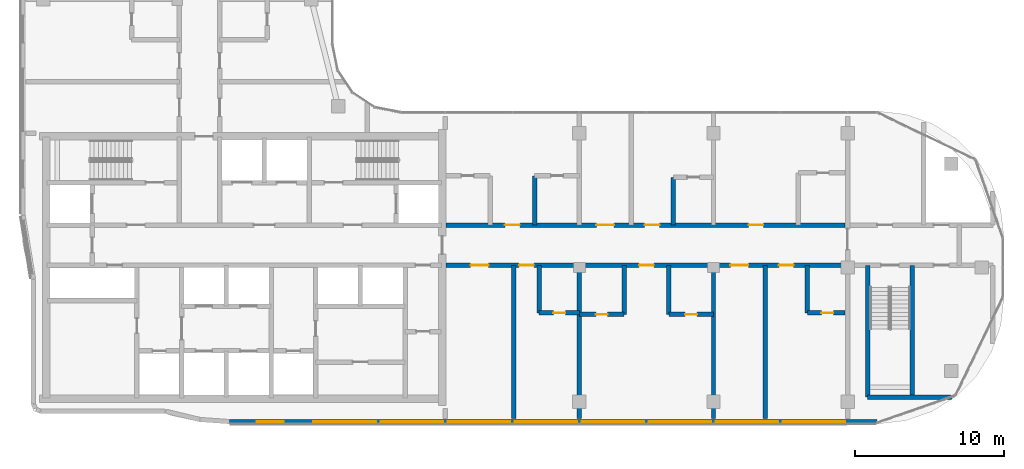
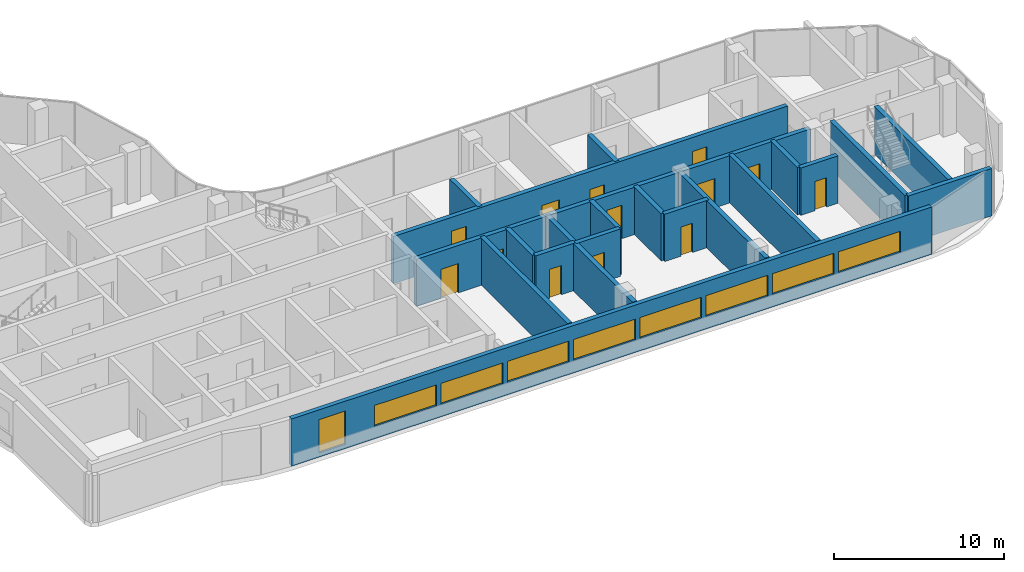
# One storey, part 11 of 19: 20 walls, 13 doors, 9 windows, 22 openings.
"""IFC4 building model written with IfcOpenShell, lengths in metres."""

import ifcopenshell
import ifcopenshell.guid

model = None  # the IFC model being written
_history = None  # IfcOwnerHistory: only IFC2X3 demands one
_inside = {}  # id of a spatial element -> (the spatial element, [elements in it])
_under = {}  # id of a project, library or spatial element -> (it, [spatial elements below it])
_declared = {}  # id of a project -> (the project, [libraries it declares])
_typed = {}  # id of a type object -> (the type object, [elements of that type])
_made_of = {}  # id of a material, layer set ... -> (it, [elements and type objects made of it])


def new_model(schema):
    """Start an empty IFC model of exactly this schema.

    Asked for "IFC4X3", IfcOpenShell would pick the latest addendum, in which some entities
    have other attributes; the version numbers below select the first issue.
    IFC2X3 requires an IfcOwnerHistory on every rooted entity: one is made here for all.
    """
    global model, _history
    if schema == "IFC4X3":
        model = ifcopenshell.file(schema_version=(4, 3, 0, 0))
    else:
        model = ifcopenshell.file(schema=schema)
    _inside.clear()
    _under.clear()
    _declared.clear()
    _typed.clear()
    _made_of.clear()
    _history = None
    if model.schema == "IFC2X3":
        org = make("IfcOrganization", Name="unknown")
        user = make(
            "IfcPersonAndOrganization",
            ThePerson=make("IfcPerson", FamilyName="unknown"),
            TheOrganization=org,
        )
        app = make(
            "IfcApplication",
            ApplicationDeveloper=org,
            Version="unknown",
            ApplicationFullName="unknown",
            ApplicationIdentifier="unknown",
        )
        _history = make(
            "IfcOwnerHistory",
            OwningUser=user,
            OwningApplication=app,
            ChangeAction="ADDED",
            CreationDate=0,
        )
    return model


def make(cls, **values):
    """One entity of the class cls with the attributes given. An attribute that is None is left unset."""
    return model.create_entity(
        cls, **{name: value for name, value in values.items() if value is not None}
    )


def rooted(cls, **values):
    """An entity with a GlobalId (a new one), such as an element, a storey or a relation."""
    return make(cls, GlobalId=ifcopenshell.guid.new(), OwnerHistory=_history, **values)


def si_unit(unit_type, name, prefix=None):
    """IfcSIUnit, for example si_unit("LENGTHUNIT", "METRE", prefix="MILLI")."""
    return make("IfcSIUnit", UnitType=unit_type, Prefix=prefix, Name=name)


def assignment(units):
    """IfcUnitAssignment: the units of a project."""
    return None if units is None else make("IfcUnitAssignment", Units=units)


def point(xyz):
    """IfcCartesianPoint."""
    return None if xyz is None else make("IfcCartesianPoint", Coordinates=xyz)


def direction(xyz):
    """IfcDirection."""
    return None if xyz is None else make("IfcDirection", DirectionRatios=xyz)


def frame(location, z_axis=None, x_axis=None):
    """IfcAxis2Placement3D, a coordinate frame: its origin and axes. An axis left out is left unset."""
    return make(
        "IfcAxis2Placement3D",
        Location=point(location),
        Axis=direction(z_axis),
        RefDirection=direction(x_axis),
    )


def frame_2d(location, x_axis=None):
    """IfcAxis2Placement2D, a coordinate frame in the plane: its origin and x axis."""
    return make(
        "IfcAxis2Placement2D", Location=point(location), RefDirection=direction(x_axis)
    )


def origin():
    """The frame at (0, 0, 0) with its axes left unset."""
    return frame((0.0, 0.0, 0.0))


def place(relative_to, where):
    """IfcLocalPlacement: puts the frame where relative to a parent placement (None: the world)."""
    return make(
        "IfcLocalPlacement", PlacementRelTo=relative_to, RelativePlacement=where
    )


def context(
    kind, dimensions, precision=None, world=None, true_north=None, identifier=None
):
    """IfcGeometricRepresentationContext, for example the 3D "Model" context."""
    return make(
        "IfcGeometricRepresentationContext",
        ContextIdentifier=identifier,
        ContextType=kind,
        CoordinateSpaceDimension=dimensions,
        Precision=precision,
        WorldCoordinateSystem=world,
        TrueNorth=true_north,
    )


def subcontext(parent, identifier, kind, view, scale=None):
    """IfcGeometricRepresentationSubContext, for example "Body" below "Model"."""
    return make(
        "IfcGeometricRepresentationSubContext",
        ContextIdentifier=identifier,
        ContextType=kind,
        ParentContext=parent,
        TargetScale=scale,
        TargetView=view,
    )


def project(units=None, contexts=None):
    """IfcProject with its units and contexts."""
    return rooted(
        "IfcProject",
        Name="project",
        RepresentationContexts=contexts,
        UnitsInContext=assignment(units),
    )


def spatial(cls, under=None, at=None, **own):
    """A site, building, storey or space (cls), placed at a placement, below another one or the project."""
    s = rooted(cls, ObjectPlacement=at, **own)
    if under is not None:
        _under.setdefault(under.id(), (under, []))[1].append(s)
    return s


def profile(cls, at=None, kind="AREA", **sizes):
    """A parametric profile (cls). Its sizes go by their IFC names, for example OverallWidth=200.0."""
    return make(cls, ProfileType=kind, Position=at, **sizes)


def rectangle(**sizes):
    """IfcRectangleProfileDef."""
    return profile("IfcRectangleProfileDef", **sizes)


def extrude(swept, where, along, depth):
    """IfcExtrudedAreaSolid: the profile swept, set in the frame where, extruded along a direction by depth."""
    return make(
        "IfcExtrudedAreaSolid",
        SweptArea=swept,
        Position=where,
        ExtrudedDirection=direction(along),
        Depth=depth,
    )


def shape(context_of_items, identifier, shape_type, items):
    """IfcShapeRepresentation: the items that make up one representation, for example the "Body"."""
    return make(
        "IfcShapeRepresentation",
        ContextOfItems=context_of_items,
        RepresentationIdentifier=identifier,
        RepresentationType=shape_type,
        Items=items,
    )


def material(Name=None, Category=None):
    """IfcMaterial."""
    return make("IfcMaterial", Name=Name, Category=Category)


def layer(
    of_material, thickness, ventilated=None, Name=None, Category=None, Priority=None
):
    """IfcMaterialLayer: one layer of a wall or slab, of a material (None: an air gap)."""
    return make(
        "IfcMaterialLayer",
        Material=of_material,
        LayerThickness=thickness,
        IsVentilated=ventilated,
        Name=Name,
        Category=Category,
        Priority=Priority,
    )


def layer_set(layers, Name=None):
    """IfcMaterialLayerSet."""
    return make("IfcMaterialLayerSet", MaterialLayers=layers, LayerSetName=Name)


def made_of(thing, what):
    """Note that an element or type object is made of a material, layer set ...; save() writes the relation."""
    if what is not None:
        _made_of.setdefault(what.id(), (what, []))[1].append(thing)
    return thing


def type_object(cls, material=None, **own):
    """A type object (cls), such as IfcWallType, which elements share."""
    return made_of(rooted(cls, **own), material)


def element(
    cls,
    number,
    at=None,
    inside=None,
    cuts=None,
    type_object=None,
    material=None,
    context=None,
    identifier="Body",
    shape_type=None,
    held_by="IfcProductDefinitionShape",
    body=None,
    shapes=None,
    **own,
):
    """One element of the class cls, such as IfcWall. Its Tag is "e" and its number.

    at: its placement. inside: the storey or other place that contains it. cuts: it is an
    opening in that element (IfcRelVoidsElement). A single representation is given by context,
    identifier, shape_type and body (its items); several are given by shapes. held_by: the class
    of the entity that holds the representations. save() writes the other relations.
    """
    e = rooted(cls, Tag="e%d" % number, ObjectPlacement=at, **own)
    if body is not None:
        shapes = [shape(context, identifier, shape_type, body)]
    if shapes is not None:
        e.Representation = make(held_by, Representations=shapes)
    if inside is not None:
        _inside.setdefault(inside.id(), (inside, []))[1].append(e)
    if cuts is not None:
        rooted(
            "IfcRelVoidsElement", RelatingBuildingElement=cuts, RelatedOpeningElement=e
        )
    if type_object is not None:
        _typed.setdefault(type_object.id(), (type_object, []))[1].append(e)
    return made_of(e, material)


def fill(opening, filler):
    """IfcRelFillsElement: the door or window that sits in an opening."""
    return rooted(
        "IfcRelFillsElement",
        RelatingOpeningElement=opening,
        RelatedBuildingElement=filler,
    )


def aggregate(whole, parts):
    """IfcRelAggregates: a whole, such as a stair, and the parts it consists of."""
    return rooted("IfcRelAggregates", RelatingObject=whole, RelatedObjects=parts)


def save(model, path):
    """Write the relations noted so far, then the file.

    IfcRelAggregates (storeys below a building ...), IfcRelContainedInSpatialStructure (elements
    in a storey), IfcRelDefinesByType, IfcRelAssociatesMaterial and IfcRelDeclares: one each for
    every whole, place, type object, material and project.
    """
    for whole, parts in _under.values():
        aggregate(whole, parts)
    for where, things in _inside.values():
        rooted(
            "IfcRelContainedInSpatialStructure",
            RelatedElements=things,
            RelatingStructure=where,
        )
    for kind, things in _typed.values():
        rooted("IfcRelDefinesByType", RelatedObjects=things, RelatingType=kind)
    for what, things in _made_of.values():
        rooted("IfcRelAssociatesMaterial", RelatedObjects=things, RelatingMaterial=what)
    for by, libraries in _declared.values():
        rooted("IfcRelDeclares", RelatingContext=by, RelatedDefinitions=libraries)
    model.write(path)


model = new_model("IFC4")

# Units and contexts
model_context = context("Model", 3, precision=1e-05, world=origin(), true_north=direction((0.0, 1.0)))
body_context = subcontext(model_context, "Body", "Model", "MODEL_VIEW")
ifc_project = project(units=[si_unit("LENGTHUNIT", "METRE"), si_unit("AREAUNIT", "SQUARE_METRE"), si_unit("VOLUMEUNIT", "CUBIC_METRE"), si_unit("PLANEANGLEUNIT", "RADIAN"), si_unit("MASSUNIT", "GRAM", prefix="KILO")], contexts=[model_context])

# Site, building, storey
site_placement = place(None, origin())
site = spatial("IfcSite", under=ifc_project, at=site_placement, CompositionType="ELEMENT")
building_placement = place(site_placement, origin())
building = spatial("IfcBuilding", under=site, at=building_placement, Name="Ogive Portal Towers", CompositionType="ELEMENT")
storey_placement = place(building_placement, frame((0.0, 0.0, 229.10009765625)))
storey = spatial("IfcBuildingStorey", under=building, at=storey_placement, Name="L57", CompositionType="ELEMENT", Elevation=229.10009765625)

# Wall, openings, windows
ifc_material_1 = material(Name="Limestone cladding on lightweight block wall", Category="masonry")
ifc_layer_1 = layer(ifc_material_1, 0.300048828125)
ifc_layer_set_1 = layer_set([ifc_layer_1], Name="EXTERNAL WALL 300 STONE")
wall_type_1 = type_object("IfcWallType", Name="EXTERNAL WALL 300 STONE", PredefinedType="SOLIDWALL", material=ifc_layer_set_1)
wall_1_placement = place(storey_placement, frame((44.0107421875, 20.14990234375, 0.0), z_axis=(0.0, 0.0, 1.0), x_axis=(1.0, 0.0, 0.0)))
wall_1 = element("IfcWall", 1, at=wall_1_placement, inside=storey, type_object=wall_type_1, Name="A:L57:f06:r0:wall", PredefinedType="SOLIDWALL", context=body_context, shape_type="SweptSolid", body=[
    extrude(rectangle(XDim=43.4755859375, YDim=0.300048828125, at=frame_2d((21.73779296875, 0.0))), origin(), (0.0, 0.0, 1.0), 3.39990234375),
])
opening_1_placement = place(wall_1_placement, frame((1.8447265625, 0.0, 0.300048828125)))
opening_1 = element("IfcOpeningElement", 2, at=opening_1_placement, cuts=wall_1, Name="Opening WN10", PredefinedType="OPENING", context=body_context, shape_type="SweptSolid", body=[
    extrude(rectangle(XDim=1.800048828125, YDim=2.39990234375, at=frame_2d((0.89990234375, 1.199951171875))), frame((0.0, 0.16015625, 0.0), z_axis=(0.0, -1.0, 0.0), x_axis=(1.0, 0.0, 0.0)), (0.0, 0.0, 1.0), 0.320068359375),
])
opening_2_placement = place(wall_1_placement, frame((5.639404296875, 0.0, 0.89990234375)))
opening_2 = element("IfcOpeningElement", 3, at=opening_2_placement, cuts=wall_1, Name="Opening WN11", PredefinedType="OPENING", context=body_context, shape_type="SweptSolid", body=[
    extrude(rectangle(XDim=4.199951171875, YDim=1.5, at=frame_2d((2.10009765625, 0.75))), frame((0.0, 0.16015625, 0.0), z_axis=(0.0, -1.0, 0.0), x_axis=(1.0, 0.0, 0.0)), (0.0, 0.0, 1.0), 0.320068359375),
])
opening_3_placement = place(wall_1_placement, frame((10.139404296875, 0.0, 0.89990234375)))
opening_3 = element("IfcOpeningElement", 4, at=opening_3_placement, cuts=wall_1, Name="Opening WN11", PredefinedType="OPENING", context=body_context, shape_type="SweptSolid", body=[
    extrude(rectangle(XDim=4.199951171875, YDim=1.5, at=frame_2d((2.10009765625, 0.75))), frame((0.0, 0.16015625, 0.0), z_axis=(0.0, -1.0, 0.0), x_axis=(1.0, 0.0, 0.0)), (0.0, 0.0, 1.0), 0.320068359375),
])
opening_4_placement = place(wall_1_placement, frame((14.639404296875, 0.0, 0.89990234375)))
opening_4 = element("IfcOpeningElement", 5, at=opening_4_placement, cuts=wall_1, Name="Opening WN11", PredefinedType="OPENING", context=body_context, shape_type="SweptSolid", body=[
    extrude(rectangle(XDim=4.199951171875, YDim=1.5, at=frame_2d((2.10009765625, 0.75))), frame((0.0, 0.16015625, 0.0), z_axis=(0.0, -1.0, 0.0), x_axis=(1.0, 0.0, 0.0)), (0.0, 0.0, 1.0), 0.320068359375),
])
opening_5_placement = place(wall_1_placement, frame((19.139404296875, 0.0, 0.89990234375)))
opening_5 = element("IfcOpeningElement", 6, at=opening_5_placement, cuts=wall_1, Name="Opening WN11", PredefinedType="OPENING", context=body_context, shape_type="SweptSolid", body=[
    extrude(rectangle(XDim=4.199951171875, YDim=1.5, at=frame_2d((2.10009765625, 0.75))), frame((0.0, 0.16015625, 0.0), z_axis=(0.0, -1.0, 0.0), x_axis=(1.0, 0.0, 0.0)), (0.0, 0.0, 1.0), 0.320068359375),
])
opening_6_placement = place(wall_1_placement, frame((23.639404296875, 0.0, 0.89990234375)))
opening_6 = element("IfcOpeningElement", 7, at=opening_6_placement, cuts=wall_1, Name="Opening WN11", PredefinedType="OPENING", context=body_context, shape_type="SweptSolid", body=[
    extrude(rectangle(XDim=4.199951171875, YDim=1.5, at=frame_2d((2.10009765625, 0.75))), frame((0.0, 0.16015625, 0.0), z_axis=(0.0, -1.0, 0.0), x_axis=(1.0, 0.0, 0.0)), (0.0, 0.0, 1.0), 0.320068359375),
])
opening_7_placement = place(wall_1_placement, frame((28.139404296875, 0.0, 0.89990234375)))
opening_7 = element("IfcOpeningElement", 8, at=opening_7_placement, cuts=wall_1, Name="Opening WN11", PredefinedType="OPENING", context=body_context, shape_type="SweptSolid", body=[
    extrude(rectangle(XDim=4.199951171875, YDim=1.5, at=frame_2d((2.10009765625, 0.75))), frame((0.0, 0.16015625, 0.0), z_axis=(0.0, -1.0, 0.0), x_axis=(1.0, 0.0, 0.0)), (0.0, 0.0, 1.0), 0.320068359375),
])
opening_8_placement = place(wall_1_placement, frame((32.639404296875, 0.0, 0.89990234375)))
opening_8 = element("IfcOpeningElement", 9, at=opening_8_placement, cuts=wall_1, Name="Opening WN11", PredefinedType="OPENING", context=body_context, shape_type="SweptSolid", body=[
    extrude(rectangle(XDim=4.199951171875, YDim=1.5, at=frame_2d((2.10009765625, 0.75))), frame((0.0, 0.16015625, 0.0), z_axis=(0.0, -1.0, 0.0), x_axis=(1.0, 0.0, 0.0)), (0.0, 0.0, 1.0), 0.320068359375),
])
opening_9_placement = place(wall_1_placement, frame((37.139404296875, 0.0, 0.89990234375)))
opening_9 = element("IfcOpeningElement", 10, at=opening_9_placement, cuts=wall_1, Name="Opening WN11", PredefinedType="OPENING", context=body_context, shape_type="SweptSolid", body=[
    extrude(rectangle(XDim=4.199951171875, YDim=1.5, at=frame_2d((2.10009765625, 0.75))), frame((0.0, 0.16015625, 0.0), z_axis=(0.0, -1.0, 0.0), x_axis=(1.0, 0.0, 0.0)), (0.0, 0.0, 1.0), 0.320068359375),
])
ifc_material_2 = material(Name="Glass, clear low-iron insulated glazing", Category="glass")
window_type_1 = type_object("IfcWindowType", Name="WINDOW RIBBON 4200x1500", PartitioningType="TRIPLE_PANEL_VERTICAL", PredefinedType="WINDOW", material=ifc_material_2)
window_1_placement = place(opening_2_placement, origin())
window_1 = element("IfcWindow", 11, at=window_1_placement, inside=storey, type_object=window_type_1, Name="A:L57:f06:r0:w1", OverallHeight=1.5, OverallWidth=4.199951171875, PartitioningType="SINGLE_PANEL", PredefinedType="WINDOW", context=body_context, shape_type="SweptSolid", body=[
    extrude(rectangle(XDim=4.199951171875, YDim=1.5, at=frame_2d((2.10009765625, 0.75))), frame((0.0, 0.030029296875, 0.0), z_axis=(0.0, -1.0, 0.0), x_axis=(1.0, 0.0, 0.0)), (0.0, 0.0, 1.0), 0.06005859375),
])
fill(opening_2, window_1)
window_2_placement = place(opening_3_placement, origin())
window_2 = element("IfcWindow", 12, at=window_2_placement, inside=storey, type_object=window_type_1, Name="A:L57:f06:r0:w2", OverallHeight=1.5, OverallWidth=4.199951171875, PartitioningType="SINGLE_PANEL", PredefinedType="WINDOW", context=body_context, shape_type="SweptSolid", body=[
    extrude(rectangle(XDim=4.199951171875, YDim=1.5, at=frame_2d((2.10009765625, 0.75))), frame((0.0, 0.030029296875, 0.0), z_axis=(0.0, -1.0, 0.0), x_axis=(1.0, 0.0, 0.0)), (0.0, 0.0, 1.0), 0.06005859375),
])
fill(opening_3, window_2)
window_3_placement = place(opening_4_placement, origin())
window_3 = element("IfcWindow", 13, at=window_3_placement, inside=storey, type_object=window_type_1, Name="A:L57:f06:r0:w3", OverallHeight=1.5, OverallWidth=4.199951171875, PartitioningType="SINGLE_PANEL", PredefinedType="WINDOW", context=body_context, shape_type="SweptSolid", body=[
    extrude(rectangle(XDim=4.199951171875, YDim=1.5, at=frame_2d((2.10009765625, 0.75))), frame((0.0, 0.030029296875, 0.0), z_axis=(0.0, -1.0, 0.0), x_axis=(1.0, 0.0, 0.0)), (0.0, 0.0, 1.0), 0.06005859375),
])
fill(opening_4, window_3)
window_4_placement = place(opening_5_placement, origin())
window_4 = element("IfcWindow", 14, at=window_4_placement, inside=storey, type_object=window_type_1, Name="A:L57:f06:r0:w4", OverallHeight=1.5, OverallWidth=4.199951171875, PartitioningType="SINGLE_PANEL", PredefinedType="WINDOW", context=body_context, shape_type="SweptSolid", body=[
    extrude(rectangle(XDim=4.199951171875, YDim=1.5, at=frame_2d((2.10009765625, 0.75))), frame((0.0, 0.030029296875, 0.0), z_axis=(0.0, -1.0, 0.0), x_axis=(1.0, 0.0, 0.0)), (0.0, 0.0, 1.0), 0.06005859375),
])
fill(opening_5, window_4)
window_5_placement = place(opening_6_placement, origin())
window_5 = element("IfcWindow", 15, at=window_5_placement, inside=storey, type_object=window_type_1, Name="A:L57:f06:r0:w5", OverallHeight=1.5, OverallWidth=4.199951171875, PartitioningType="SINGLE_PANEL", PredefinedType="WINDOW", context=body_context, shape_type="SweptSolid", body=[
    extrude(rectangle(XDim=4.199951171875, YDim=1.5, at=frame_2d((2.10009765625, 0.75))), frame((0.0, 0.030029296875, 0.0), z_axis=(0.0, -1.0, 0.0), x_axis=(1.0, 0.0, 0.0)), (0.0, 0.0, 1.0), 0.06005859375),
])
fill(opening_6, window_5)
window_6_placement = place(opening_7_placement, origin())
window_6 = element("IfcWindow", 16, at=window_6_placement, inside=storey, type_object=window_type_1, Name="A:L57:f06:r0:w6", OverallHeight=1.5, OverallWidth=4.199951171875, PartitioningType="SINGLE_PANEL", PredefinedType="WINDOW", context=body_context, shape_type="SweptSolid", body=[
    extrude(rectangle(XDim=4.199951171875, YDim=1.5, at=frame_2d((2.10009765625, 0.75))), frame((0.0, 0.030029296875, 0.0), z_axis=(0.0, -1.0, 0.0), x_axis=(1.0, 0.0, 0.0)), (0.0, 0.0, 1.0), 0.06005859375),
])
fill(opening_7, window_6)
window_7_placement = place(opening_8_placement, origin())
window_7 = element("IfcWindow", 17, at=window_7_placement, inside=storey, type_object=window_type_1, Name="A:L57:f06:r0:w7", OverallHeight=1.5, OverallWidth=4.199951171875, PartitioningType="SINGLE_PANEL", PredefinedType="WINDOW", context=body_context, shape_type="SweptSolid", body=[
    extrude(rectangle(XDim=4.199951171875, YDim=1.5, at=frame_2d((2.10009765625, 0.75))), frame((0.0, 0.030029296875, 0.0), z_axis=(0.0, -1.0, 0.0), x_axis=(1.0, 0.0, 0.0)), (0.0, 0.0, 1.0), 0.06005859375),
])
fill(opening_8, window_7)
window_8_placement = place(opening_9_placement, origin())
window_8 = element("IfcWindow", 18, at=window_8_placement, inside=storey, type_object=window_type_1, Name="A:L57:f06:r0:w8", OverallHeight=1.5, OverallWidth=4.199951171875, PartitioningType="SINGLE_PANEL", PredefinedType="WINDOW", context=body_context, shape_type="SweptSolid", body=[
    extrude(rectangle(XDim=4.199951171875, YDim=1.5, at=frame_2d((2.10009765625, 0.75))), frame((0.0, 0.030029296875, 0.0), z_axis=(0.0, -1.0, 0.0), x_axis=(1.0, 0.0, 0.0)), (0.0, 0.0, 1.0), 0.06005859375),
])
fill(opening_9, window_8)
window_type_2 = type_object("IfcWindowType", Name="WINDOW SUITE CORNER 1800x2400", PartitioningType="DOUBLE_PANEL_VERTICAL", PredefinedType="WINDOW", material=ifc_material_2)
window_9_placement = place(opening_1_placement, origin())
window_9 = element("IfcWindow", 19, at=window_9_placement, inside=storey, type_object=window_type_2, Name="A:L57:f06:r0:w0", OverallHeight=2.39990234375, OverallWidth=1.800048828125, PartitioningType="SINGLE_PANEL", PredefinedType="WINDOW", context=body_context, shape_type="SweptSolid", body=[
    extrude(rectangle(XDim=1.800048828125, YDim=2.39990234375, at=frame_2d((0.89990234375, 1.199951171875))), frame((0.0, 0.030029296875, 0.0), z_axis=(0.0, -1.0, 0.0), x_axis=(1.0, 0.0, 0.0)), (0.0, 0.0, 1.0), 0.06005859375),
])
fill(opening_1, window_9)

# Walls
ifc_material_3 = material(Name="Concrete C50/60", Category="concrete")
ifc_layer_2 = layer(ifc_material_3, 0.300048828125)
ifc_layer_set_2 = layer_set([ifc_layer_2], Name="STAIR WALL 300 C50")
wall_type_2 = type_object("IfcWallType", Name="STAIR WALL 300 C50", PredefinedType="SHEAR", material=ifc_layer_set_2)
wall_2_placement = place(storey_placement, frame((86.85009765625, 21.800048828125, 0.0), z_axis=(0.0, 0.0, 1.0), x_axis=(1.0, 0.0, 0.0)))
element("IfcWall", 20, at=wall_2_placement, inside=storey, type_object=wall_type_2, Name="Stair wall ST-A4 L57", PredefinedType="SHEAR", context=body_context, shape_type="SweptSolid", body=[
    extrude(rectangle(XDim=5.664794921875, YDim=0.300048828125, at=frame_2d((2.83251953125, 0.0))), origin(), (0.0, 0.0, 1.0), 3.39990234375),
])
for number, where, z_axis, x_axis, name in (
    (21, (86.85009765625, 21.800048828125, 0.0), (0.0, 0.0, 1.0), (0.0, 1.0, 0.0), "Stair wall ST-A4 L57"),
    (22, (89.85009765625, 21.800048828125, 0.0), (0.0, 0.0, 1.0), (0.0, 1.0, 0.0), "Stair wall ST-A4 L57"),
):
    element("IfcWall", number, at=place(storey_placement, frame(where, z_axis=z_axis, x_axis=x_axis)), inside=storey, type_object=wall_type_2, Name=name, PredefinedType="SHEAR", context=body_context, shape_type="SweptSolid", body=[
        extrude(rectangle(XDim=8.849853515625, YDim=0.300048828125, at=frame_2d((4.4248046875, 0.0))), origin(), (0.0, 0.0, 1.0), 3.39990234375),
    ])

# Wall, openings, doors
ifc_material_4 = material(Name="Gypsum board partition on steel studs", Category="steel")
ifc_layer_3 = layer(ifc_material_4, 0.300048828125)
ifc_layer_set_3 = layer_set([ifc_layer_3], Name="WT-PART-300-EI 120")
wall_type_3 = type_object("IfcWallType", Name="WT-PART-300-EI 120", PredefinedType="PARTITIONING", material=ifc_layer_set_3)
wall_3_placement = place(storey_placement, frame((58.550048828125, 30.64990234375, 0.0), z_axis=(0.0, 0.0, 1.0), x_axis=(1.0, 0.0, 0.0)))
wall_3 = element("IfcWall", 23, at=wall_3_placement, inside=storey, type_object=wall_type_3, Name="Wall L57:w006", PredefinedType="PARTITIONING", context=body_context, shape_type="SweptSolid", body=[
    extrude(rectangle(XDim=26.780029296875, YDim=0.300048828125, at=frame_2d((13.39013671875, 0.0))), origin(), (0.0, 0.0, 1.0), 3.39990234375),
])
opening_10_placement = place(wall_3_placement, frame((1.64990234375, 0.0, 0.0)))
opening_10 = element("IfcOpeningElement", 24, at=opening_10_placement, cuts=wall_3, Name="Opening D25-029", PredefinedType="OPENING", context=body_context, shape_type="SweptSolid", body=[
    extrude(rectangle(XDim=1.199951171875, YDim=2.10009765625, at=frame_2d((0.60009765625, 1.050048828125))), frame((0.0, 0.16015625, 0.0), z_axis=(0.0, -1.0, 0.0), x_axis=(1.0, 0.0, 0.0)), (0.0, 0.0, 1.0), 0.320068359375),
])
opening_11_placement = place(wall_3_placement, frame((4.89990234375, 0.0, 0.0)))
opening_11 = element("IfcOpeningElement", 25, at=opening_11_placement, cuts=wall_3, Name="Opening D25-031", PredefinedType="OPENING", context=body_context, shape_type="SweptSolid", body=[
    extrude(rectangle(XDim=1.0, YDim=2.10009765625, at=frame_2d((0.5, 1.050048828125))), frame((0.0, 0.16015625, 0.0), z_axis=(0.0, -1.0, 0.0), x_axis=(1.0, 0.0, 0.0)), (0.0, 0.0, 1.0), 0.320068359375),
])
opening_12_placement = place(wall_3_placement, frame((12.949951171875, 0.0, 0.0)))
opening_12 = element("IfcOpeningElement", 26, at=opening_12_placement, cuts=wall_3, Name="Opening D25-037", PredefinedType="OPENING", context=body_context, shape_type="SweptSolid", body=[
    extrude(rectangle(XDim=1.0, YDim=2.39990234375, at=frame_2d((0.5, 1.199951171875))), frame((0.0, 0.16015625, 0.0), z_axis=(0.0, -1.0, 0.0), x_axis=(1.0, 0.0, 0.0)), (0.0, 0.0, 1.0), 0.320068359375),
])
opening_13_placement = place(wall_3_placement, frame((19.0849609375, 0.0, 0.0)))
opening_13 = element("IfcOpeningElement", 27, at=opening_13_placement, cuts=wall_3, Name="Opening D25-040", PredefinedType="OPENING", context=body_context, shape_type="SweptSolid", body=[
    extrude(rectangle(XDim=1.199951171875, YDim=2.10009765625, at=frame_2d((0.60009765625, 1.050048828125))), frame((0.0, 0.16015625, 0.0), z_axis=(0.0, -1.0, 0.0), x_axis=(1.0, 0.0, 0.0)), (0.0, 0.0, 1.0), 0.320068359375),
])
opening_14_placement = place(wall_3_placement, frame((22.3349609375, 0.0, 0.0)))
opening_14 = element("IfcOpeningElement", 28, at=opening_14_placement, cuts=wall_3, Name="Opening D25-042", PredefinedType="OPENING", context=body_context, shape_type="SweptSolid", body=[
    extrude(rectangle(XDim=1.0, YDim=2.10009765625, at=frame_2d((0.5, 1.050048828125))), frame((0.0, 0.16015625, 0.0), z_axis=(0.0, -1.0, 0.0), x_axis=(1.0, 0.0, 0.0)), (0.0, 0.0, 1.0), 0.320068359375),
])
ifc_material_5 = material(Name="Steel fire door", Category="steel")
door_type_1 = type_object("IfcDoorType", Name="DT-ENTRY-1000x2100-FD90S", OperationType="SINGLE_SWING_LEFT", PredefinedType="DOOR", material=ifc_material_5)
door_1_placement = place(opening_11_placement, origin())
door_1 = element("IfcDoor", 29, at=door_1_placement, inside=storey, type_object=door_type_1, Name="Door D25-031", OperationType="SINGLE_SWING_LEFT", OverallHeight=2.10009765625, OverallWidth=1.0, PredefinedType="DOOR", context=body_context, shape_type="SweptSolid", body=[
    extrude(rectangle(XDim=1.0, YDim=2.10009765625, at=frame_2d((0.5, 1.050048828125))), frame((0.0, 0.02490234375, 0.0), z_axis=(0.0, -1.0, 0.0), x_axis=(1.0, 0.0, 0.0)), (0.0, 0.0, 1.0), 0.050048828125),
])
fill(opening_11, door_1)
door_2_placement = place(opening_14_placement, origin())
door_2 = element("IfcDoor", 30, at=door_2_placement, inside=storey, type_object=door_type_1, Name="Door D25-042", OperationType="SINGLE_SWING_LEFT", OverallHeight=2.10009765625, OverallWidth=1.0, PredefinedType="DOOR", context=body_context, shape_type="SweptSolid", body=[
    extrude(rectangle(XDim=1.0, YDim=2.10009765625, at=frame_2d((0.5, 1.050048828125))), frame((0.0, 0.02490234375, 0.0), z_axis=(0.0, -1.0, 0.0), x_axis=(1.0, 0.0, 0.0)), (0.0, 0.0, 1.0), 0.050048828125),
])
fill(opening_14, door_2)
door_type_2 = type_object("IfcDoorType", Name="DT-ENTRY-1000x2400-FD90S", OperationType="SINGLE_SWING_LEFT", PredefinedType="DOOR", material=ifc_material_5)
door_3_placement = place(opening_12_placement, origin())
door_3 = element("IfcDoor", 31, at=door_3_placement, inside=storey, type_object=door_type_2, Name="Door D25-037", OperationType="SINGLE_SWING_LEFT", OverallHeight=2.39990234375, OverallWidth=1.0, PredefinedType="DOOR", context=body_context, shape_type="SweptSolid", body=[
    extrude(rectangle(XDim=1.0, YDim=2.39990234375, at=frame_2d((0.5, 1.199951171875))), frame((0.0, 0.02490234375, 0.0), z_axis=(0.0, -1.0, 0.0), x_axis=(1.0, 0.0, 0.0)), (0.0, 0.0, 1.0), 0.050048828125),
])
fill(opening_12, door_3)
door_type_3 = type_object("IfcDoorType", Name="DT-ENTRY-1200x2100-FD90S", OperationType="SINGLE_SWING_LEFT", PredefinedType="DOOR", material=ifc_material_5)
door_4_placement = place(opening_10_placement, origin())
door_4 = element("IfcDoor", 32, at=door_4_placement, inside=storey, type_object=door_type_3, Name="Door D25-029", OperationType="SINGLE_SWING_LEFT", OverallHeight=2.10009765625, OverallWidth=1.199951171875, PredefinedType="DOOR", context=body_context, shape_type="SweptSolid", body=[
    extrude(rectangle(XDim=1.199951171875, YDim=2.10009765625, at=frame_2d((0.60009765625, 1.050048828125))), frame((0.0, 0.02490234375, 0.0), z_axis=(0.0, -1.0, 0.0), x_axis=(1.0, 0.0, 0.0)), (0.0, 0.0, 1.0), 0.050048828125),
])
fill(opening_10, door_4)
door_5_placement = place(opening_13_placement, origin())
door_5 = element("IfcDoor", 33, at=door_5_placement, inside=storey, type_object=door_type_3, Name="Door D25-040", OperationType="SINGLE_SWING_RIGHT", OverallHeight=2.10009765625, OverallWidth=1.199951171875, PredefinedType="DOOR", context=body_context, shape_type="SweptSolid", body=[
    extrude(rectangle(XDim=1.199951171875, YDim=2.10009765625, at=frame_2d((0.60009765625, 1.050048828125))), frame((0.0, 0.02490234375, 0.0), z_axis=(0.0, -1.0, 0.0), x_axis=(1.0, 0.0, 0.0)), (0.0, 0.0, 1.0), 0.050048828125),
])
fill(opening_13, door_5)

wall_4_placement = place(storey_placement, frame((58.550048828125, 33.35009765625, 0.0), z_axis=(0.0, 0.0, 1.0), x_axis=(1.0, 0.0, 0.0)))
wall_4 = element("IfcWall", 34, at=wall_4_placement, inside=storey, type_object=wall_type_3, Name="Wall L57:w008", PredefinedType="PARTITIONING", context=body_context, shape_type="SweptSolid", body=[
    extrude(rectangle(XDim=26.780029296875, YDim=0.300048828125, at=frame_2d((13.39013671875, 0.0))), origin(), (0.0, 0.0, 1.0), 3.39990234375),
])
opening_15_placement = place(wall_4_placement, frame((3.949951171875, 0.0, 0.0)))
opening_15 = element("IfcOpeningElement", 35, at=opening_15_placement, cuts=wall_4, Name="Opening D25-028", PredefinedType="OPENING", context=body_context, shape_type="SweptSolid", body=[
    extrude(rectangle(XDim=1.0, YDim=2.39990234375, at=frame_2d((0.5, 1.199951171875))), frame((0.0, 0.16015625, 0.0), z_axis=(0.0, -1.0, 0.0), x_axis=(1.0, 0.0, 0.0)), (0.0, 0.0, 1.0), 0.320068359375),
])
opening_16_placement = place(wall_4_placement, frame((10.0849609375, 0.0, 0.0)))
opening_16 = element("IfcOpeningElement", 36, at=opening_16_placement, cuts=wall_4, Name="Opening D25-032", PredefinedType="OPENING", context=body_context, shape_type="SweptSolid", body=[
    extrude(rectangle(XDim=1.199951171875, YDim=2.10009765625, at=frame_2d((0.60009765625, 1.050048828125))), frame((0.0, 0.16015625, 0.0), z_axis=(0.0, -1.0, 0.0), x_axis=(1.0, 0.0, 0.0)), (0.0, 0.0, 1.0), 0.320068359375),
])
opening_17_placement = place(wall_4_placement, frame((13.3349609375, 0.0, 0.0)))
opening_17 = element("IfcOpeningElement", 37, at=opening_17_placement, cuts=wall_4, Name="Opening D25-034", PredefinedType="OPENING", context=body_context, shape_type="SweptSolid", body=[
    extrude(rectangle(XDim=1.0, YDim=2.10009765625, at=frame_2d((0.5, 1.050048828125))), frame((0.0, 0.16015625, 0.0), z_axis=(0.0, -1.0, 0.0), x_axis=(1.0, 0.0, 0.0)), (0.0, 0.0, 1.0), 0.320068359375),
])
opening_18_placement = place(wall_4_placement, frame((20.300048828125, 0.0, 0.0)))
opening_18 = element("IfcOpeningElement", 38, at=opening_18_placement, cuts=wall_4, Name="Opening D25-039", PredefinedType="OPENING", context=body_context, shape_type="SweptSolid", body=[
    extrude(rectangle(XDim=1.0, YDim=2.39990234375, at=frame_2d((0.5, 1.199951171875))), frame((0.0, 0.16015625, 0.0), z_axis=(0.0, -1.0, 0.0), x_axis=(1.0, 0.0, 0.0)), (0.0, 0.0, 1.0), 0.320068359375),
])
door_6_placement = place(opening_17_placement, origin())
door_6 = element("IfcDoor", 39, at=door_6_placement, inside=storey, type_object=door_type_1, Name="Door D25-034", OperationType="SINGLE_SWING_LEFT", OverallHeight=2.10009765625, OverallWidth=1.0, PredefinedType="DOOR", context=body_context, shape_type="SweptSolid", body=[
    extrude(rectangle(XDim=1.0, YDim=2.10009765625, at=frame_2d((0.5, 1.050048828125))), frame((0.0, 0.02490234375, 0.0), z_axis=(0.0, -1.0, 0.0), x_axis=(1.0, 0.0, 0.0)), (0.0, 0.0, 1.0), 0.050048828125),
])
fill(opening_17, door_6)
door_7_placement = place(opening_15_placement, origin())
door_7 = element("IfcDoor", 40, at=door_7_placement, inside=storey, type_object=door_type_2, Name="Door D25-028", OperationType="SINGLE_SWING_LEFT", OverallHeight=2.39990234375, OverallWidth=1.0, PredefinedType="DOOR", context=body_context, shape_type="SweptSolid", body=[
    extrude(rectangle(XDim=1.0, YDim=2.39990234375, at=frame_2d((0.5, 1.199951171875))), frame((0.0, 0.02490234375, 0.0), z_axis=(0.0, -1.0, 0.0), x_axis=(1.0, 0.0, 0.0)), (0.0, 0.0, 1.0), 0.050048828125),
])
fill(opening_15, door_7)
door_8_placement = place(opening_18_placement, origin())
door_8 = element("IfcDoor", 41, at=door_8_placement, inside=storey, type_object=door_type_2, Name="Door D25-039", OperationType="SINGLE_SWING_LEFT", OverallHeight=2.39990234375, OverallWidth=1.0, PredefinedType="DOOR", context=body_context, shape_type="SweptSolid", body=[
    extrude(rectangle(XDim=1.0, YDim=2.39990234375, at=frame_2d((0.5, 1.199951171875))), frame((0.0, 0.02490234375, 0.0), z_axis=(0.0, -1.0, 0.0), x_axis=(1.0, 0.0, 0.0)), (0.0, 0.0, 1.0), 0.050048828125),
])
fill(opening_18, door_8)
door_9_placement = place(opening_16_placement, origin())
door_9 = element("IfcDoor", 42, at=door_9_placement, inside=storey, type_object=door_type_3, Name="Door D25-032", OperationType="SINGLE_SWING_LEFT", OverallHeight=2.10009765625, OverallWidth=1.199951171875, PredefinedType="DOOR", context=body_context, shape_type="SweptSolid", body=[
    extrude(rectangle(XDim=1.199951171875, YDim=2.10009765625, at=frame_2d((0.60009765625, 1.050048828125))), frame((0.0, 0.02490234375, 0.0), z_axis=(0.0, -1.0, 0.0), x_axis=(1.0, 0.0, 0.0)), (0.0, 0.0, 1.0), 0.050048828125),
])
fill(opening_16, door_9)

# Wall, opening, door
ifc_layer_4 = layer(ifc_material_4, 0.300048828125)
ifc_layer_set_4 = layer_set([ifc_layer_4], Name="WT-PART-300-EI 60")
wall_type_4 = type_object("IfcWallType", Name="WT-PART-300-EI 60", PredefinedType="PARTITIONING", material=ifc_layer_set_4)
wall_5_placement = place(storey_placement, frame((67.5, 27.35009765625, 0.0), z_axis=(0.0, 0.0, 1.0), x_axis=(1.0, 0.0, 0.0)))
wall_5 = element("IfcWall", 43, at=wall_5_placement, inside=storey, type_object=wall_type_4, Name="Wall L57:w002", PredefinedType="PARTITIONING", context=body_context, shape_type="SweptSolid", body=[
    extrude(rectangle(XDim=3.0, YDim=0.300048828125, at=frame_2d((1.5, 0.0))), origin(), (0.0, 0.0, 1.0), 3.39990234375),
])
opening_19_placement = place(wall_5_placement, frame((1.10009765625, 0.0, 0.0)))
opening_19 = element("IfcOpeningElement", 44, at=opening_19_placement, cuts=wall_5, Name="Opening D25-035", PredefinedType="OPENING", context=body_context, shape_type="SweptSolid", body=[
    extrude(rectangle(XDim=0.800048828125, YDim=2.10009765625, at=frame_2d((0.39990234375, 1.050048828125))), frame((0.0, 0.16015625, 0.0), z_axis=(0.0, -1.0, 0.0), x_axis=(1.0, 0.0, 0.0)), (0.0, 0.0, 1.0), 0.320068359375),
])
door_type_4 = type_object("IfcDoorType", Name="DT-BATH-800x2100-FD60S", OperationType="SINGLE_SWING_LEFT", PredefinedType="DOOR", material=ifc_material_5)
door_10_placement = place(opening_19_placement, origin())
door_10 = element("IfcDoor", 45, at=door_10_placement, inside=storey, type_object=door_type_4, Name="Door D25-035", OperationType="SINGLE_SWING_LEFT", OverallHeight=2.10009765625, OverallWidth=0.800048828125, PredefinedType="DOOR", context=body_context, shape_type="SweptSolid", body=[
    extrude(rectangle(XDim=0.800048828125, YDim=2.10009765625, at=frame_2d((0.39990234375, 1.050048828125))), frame((0.0, 0.02490234375, 0.0), z_axis=(0.0, -1.0, 0.0), x_axis=(1.0, 0.0, 0.0)), (0.0, 0.0, 1.0), 0.050048828125),
])
fill(opening_19, door_10)

wall_6_placement = place(storey_placement, frame((73.5, 27.35009765625, 0.0), z_axis=(0.0, 0.0, 1.0), x_axis=(1.0, 0.0, 0.0)))
wall_6 = element("IfcWall", 46, at=wall_6_placement, inside=storey, type_object=wall_type_4, Name="Wall L57:w003", PredefinedType="PARTITIONING", context=body_context, shape_type="SweptSolid", body=[
    extrude(rectangle(XDim=3.0, YDim=0.300048828125, at=frame_2d((1.5, 0.0))), origin(), (0.0, 0.0, 1.0), 3.39990234375),
])
opening_20_placement = place(wall_6_placement, frame((1.10009765625, 0.0, 0.0)))
opening_20 = element("IfcOpeningElement", 47, at=opening_20_placement, cuts=wall_6, Name="Opening D25-036", PredefinedType="OPENING", context=body_context, shape_type="SweptSolid", body=[
    extrude(rectangle(XDim=0.800048828125, YDim=2.10009765625, at=frame_2d((0.39990234375, 1.050048828125))), frame((0.0, 0.16015625, 0.0), z_axis=(0.0, -1.0, 0.0), x_axis=(1.0, 0.0, 0.0)), (0.0, 0.0, 1.0), 0.320068359375),
])
door_11_placement = place(opening_20_placement, origin())
door_11 = element("IfcDoor", 48, at=door_11_placement, inside=storey, type_object=door_type_4, Name="Door D25-036", OperationType="SINGLE_SWING_RIGHT", OverallHeight=2.10009765625, OverallWidth=0.800048828125, PredefinedType="DOOR", context=body_context, shape_type="SweptSolid", body=[
    extrude(rectangle(XDim=0.800048828125, YDim=2.10009765625, at=frame_2d((0.39990234375, 1.050048828125))), frame((0.0, 0.02490234375, 0.0), z_axis=(0.0, -1.0, 0.0), x_axis=(1.0, 0.0, 0.0)), (0.0, 0.0, 1.0), 0.050048828125),
])
fill(opening_20, door_11)

wall_7_placement = place(storey_placement, frame((64.800048828125, 27.449951171875, 0.0), z_axis=(0.0, 0.0, 1.0), x_axis=(1.0, 0.0, 0.0)))
wall_7 = element("IfcWall", 49, at=wall_7_placement, inside=storey, type_object=wall_type_4, Name="Wall L57:w004", PredefinedType="PARTITIONING", context=body_context, shape_type="SweptSolid", body=[
    extrude(rectangle(XDim=2.699951171875, YDim=0.300048828125, at=frame_2d((1.35009765625, 0.0))), origin(), (0.0, 0.0, 1.0), 3.39990234375),
])
opening_21_placement = place(wall_7_placement, frame((0.949951171875, 0.0, 0.0)))
opening_21 = element("IfcOpeningElement", 50, at=opening_21_placement, cuts=wall_7, Name="Opening D25-030", PredefinedType="OPENING", context=body_context, shape_type="SweptSolid", body=[
    extrude(rectangle(XDim=0.800048828125, YDim=2.10009765625, at=frame_2d((0.39990234375, 1.050048828125))), frame((0.0, 0.16015625, 0.0), z_axis=(0.0, -1.0, 0.0), x_axis=(1.0, 0.0, 0.0)), (0.0, 0.0, 1.0), 0.320068359375),
])
door_12_placement = place(opening_21_placement, origin())
door_12 = element("IfcDoor", 51, at=door_12_placement, inside=storey, type_object=door_type_4, Name="Door D25-030", OperationType="SINGLE_SWING_RIGHT", OverallHeight=2.10009765625, OverallWidth=0.800048828125, PredefinedType="DOOR", context=body_context, shape_type="SweptSolid", body=[
    extrude(rectangle(XDim=0.800048828125, YDim=2.10009765625, at=frame_2d((0.39990234375, 1.050048828125))), frame((0.0, 0.02490234375, 0.0), z_axis=(0.0, -1.0, 0.0), x_axis=(1.0, 0.0, 0.0)), (0.0, 0.0, 1.0), 0.050048828125),
])
fill(opening_21, door_12)

wall_8_placement = place(storey_placement, frame((82.800048828125, 27.449951171875, 0.0), z_axis=(0.0, 0.0, 1.0), x_axis=(1.0, 0.0, 0.0)))
wall_8 = element("IfcWall", 52, at=wall_8_placement, inside=storey, type_object=wall_type_4, Name="Wall L57:w005", PredefinedType="PARTITIONING", context=body_context, shape_type="SweptSolid", body=[
    extrude(rectangle(XDim=2.530029296875, YDim=0.300048828125, at=frame_2d((1.26513671875, 0.0))), origin(), (0.0, 0.0, 1.0), 3.39990234375),
])
opening_22_placement = place(wall_8_placement, frame((0.949951171875, 0.0, 0.0)))
opening_22 = element("IfcOpeningElement", 53, at=opening_22_placement, cuts=wall_8, Name="Opening D25-041", PredefinedType="OPENING", context=body_context, shape_type="SweptSolid", body=[
    extrude(rectangle(XDim=0.800048828125, YDim=2.10009765625, at=frame_2d((0.39990234375, 1.050048828125))), frame((0.0, 0.16015625, 0.0), z_axis=(0.0, -1.0, 0.0), x_axis=(1.0, 0.0, 0.0)), (0.0, 0.0, 1.0), 0.320068359375),
])
door_13_placement = place(opening_22_placement, origin())
door_13 = element("IfcDoor", 54, at=door_13_placement, inside=storey, type_object=door_type_4, Name="Door D25-041", OperationType="SINGLE_SWING_LEFT", OverallHeight=2.10009765625, OverallWidth=0.800048828125, PredefinedType="DOOR", context=body_context, shape_type="SweptSolid", body=[
    extrude(rectangle(XDim=0.800048828125, YDim=2.10009765625, at=frame_2d((0.39990234375, 1.050048828125))), frame((0.0, 0.02490234375, 0.0), z_axis=(0.0, -1.0, 0.0), x_axis=(1.0, 0.0, 0.0)), (0.0, 0.0, 1.0), 0.050048828125),
])
fill(opening_22, door_13)

# Walls
wall_9_placement = place(storey_placement, frame((63.10009765625, 20.35009765625, 0.0), z_axis=(0.0, 0.0, 1.0), x_axis=(0.0, 1.0, 0.0)))
element("IfcWall", 55, at=wall_9_placement, inside=storey, type_object=wall_type_4, Name="Wall L57:w038", PredefinedType="PARTITIONING", context=body_context, shape_type="SweptSolid", body=[
    extrude(rectangle(XDim=10.2998046875, YDim=0.300048828125, at=frame_2d((5.14990234375, 0.0))), origin(), (0.0, 0.0, 1.0), 3.39990234375),
])
wall_10_placement = place(storey_placement, frame((64.5, 33.35009765625, 0.0), z_axis=(0.0, 0.0, 1.0), x_axis=(0.0, 1.0, 0.0)))
element("IfcWall", 56, at=wall_10_placement, inside=storey, type_object=wall_type_4, Name="Wall L57:w039", PredefinedType="PARTITIONING", context=body_context, shape_type="SweptSolid", body=[
    extrude(rectangle(XDim=3.2998046875, YDim=0.300048828125, at=frame_2d((1.64990234375, 0.0))), origin(), (0.0, 0.0, 1.0), 3.39990234375),
])
wall_11_placement = place(storey_placement, frame((64.800048828125, 27.449951171875, 0.0), z_axis=(0.0, 0.0, 1.0), x_axis=(0.0, 1.0, 0.0)))
element("IfcWall", 57, at=wall_11_placement, inside=storey, type_object=wall_type_4, Name="Wall L57:w040", PredefinedType="PARTITIONING", context=body_context, shape_type="SweptSolid", body=[
    extrude(rectangle(XDim=3.199951171875, YDim=0.300048828125, at=frame_2d((1.60009765625, 0.0))), origin(), (0.0, 0.0, 1.0), 3.39990234375),
])
wall_12_placement = place(storey_placement, frame((67.5, 20.35009765625, 0.0), z_axis=(0.0, 0.0, 1.0), x_axis=(0.0, 1.0, 0.0)))
element("IfcWall", 58, at=wall_12_placement, inside=storey, type_object=wall_type_4, Name="Wall L57:w041", PredefinedType="PARTITIONING", context=body_context, shape_type="SweptSolid", body=[
    extrude(rectangle(XDim=10.2998046875, YDim=0.300048828125, at=frame_2d((5.14990234375, 0.0))), origin(), (0.0, 0.0, 1.0), 3.39990234375),
])
for number, where, z_axis, x_axis, name in (
    (59, (70.5, 27.35009765625, 0.0), (0.0, 0.0, 1.0), (0.0, 1.0, 0.0), "Wall L57:w043"),
    (60, (73.5, 27.35009765625, 0.0), (0.0, 0.0, 1.0), (0.0, 1.0, 0.0), "Wall L57:w045"),
):
    element("IfcWall", number, at=place(storey_placement, frame(where, z_axis=z_axis, x_axis=x_axis)), inside=storey, type_object=wall_type_4, Name=name, PredefinedType="PARTITIONING", context=body_context, shape_type="SweptSolid", body=[
        extrude(rectangle(XDim=3.2998046875, YDim=0.300048828125, at=frame_2d((1.64990234375, 0.0))), origin(), (0.0, 0.0, 1.0), 3.39990234375),
    ])
wall_13_placement = place(storey_placement, frame((73.800048828125, 33.35009765625, 0.0), z_axis=(0.0, 0.0, 1.0), x_axis=(0.0, 1.0, 0.0)))
element("IfcWall", 61, at=wall_13_placement, inside=storey, type_object=wall_type_4, Name="Wall L57:w046", PredefinedType="PARTITIONING", context=body_context, shape_type="SweptSolid", body=[
    extrude(rectangle(XDim=3.199951171875, YDim=0.300048828125, at=frame_2d((1.60009765625, 0.0))), origin(), (0.0, 0.0, 1.0), 3.39990234375),
])
for number, where, z_axis, x_axis, name in (
    (62, (76.5, 20.35009765625, 0.0), (0.0, 0.0, 1.0), (0.0, 1.0, 0.0), "Wall L57:w047"),
    (63, (79.969970703125, 20.35009765625, 0.0), (0.0, 0.0, 1.0), (0.0, 1.0, 0.0), "Wall L57:w049"),
):
    element("IfcWall", number, at=place(storey_placement, frame(where, z_axis=z_axis, x_axis=x_axis)), inside=storey, type_object=wall_type_4, Name=name, PredefinedType="PARTITIONING", context=body_context, shape_type="SweptSolid", body=[
        extrude(rectangle(XDim=10.2998046875, YDim=0.300048828125, at=frame_2d((5.14990234375, 0.0))), origin(), (0.0, 0.0, 1.0), 3.39990234375),
    ])
wall_14_placement = place(storey_placement, frame((82.800048828125, 27.449951171875, 0.0), z_axis=(0.0, 0.0, 1.0), x_axis=(0.0, 1.0, 0.0)))
element("IfcWall", 64, at=wall_14_placement, inside=storey, type_object=wall_type_4, Name="Wall L57:w051", PredefinedType="PARTITIONING", context=body_context, shape_type="SweptSolid", body=[
    extrude(rectangle(XDim=3.199951171875, YDim=0.300048828125, at=frame_2d((1.60009765625, 0.0))), origin(), (0.0, 0.0, 1.0), 3.39990234375),
])

save(model, "model.ifc")
